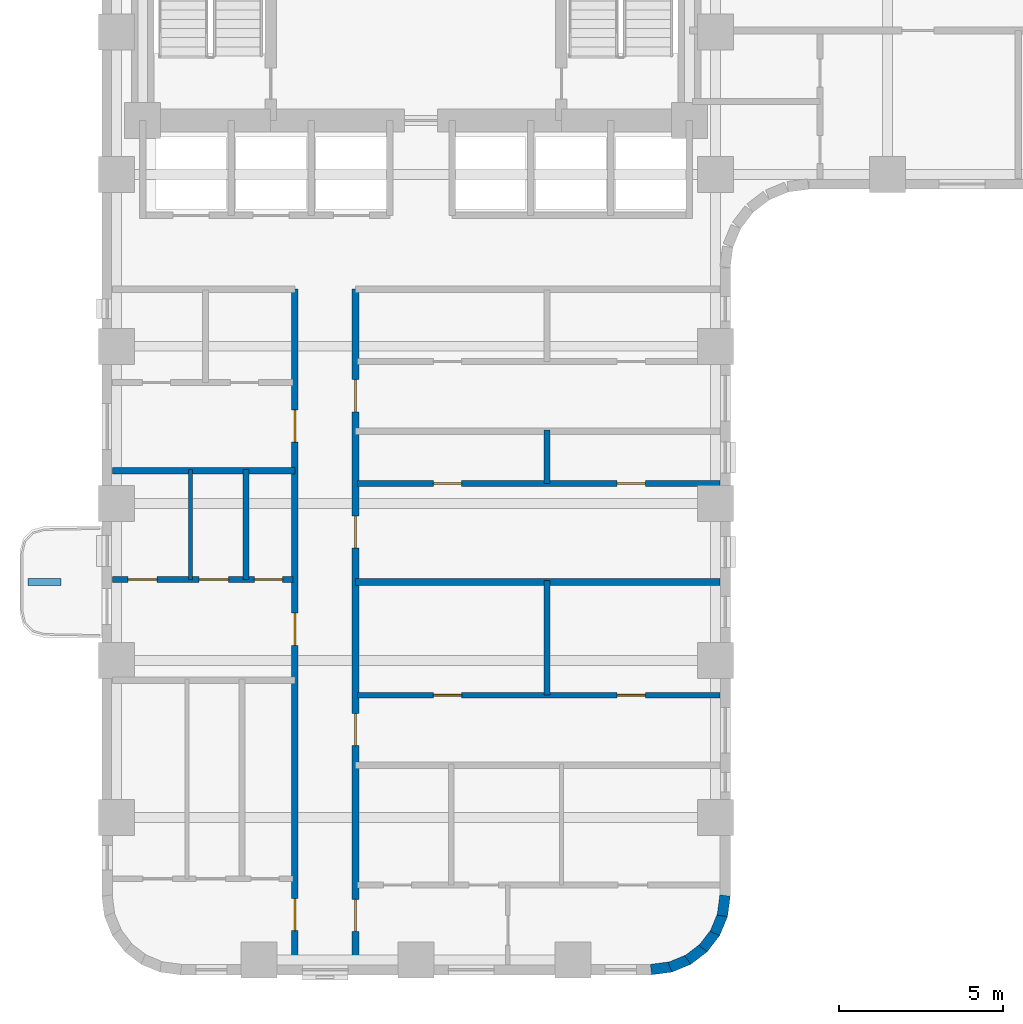
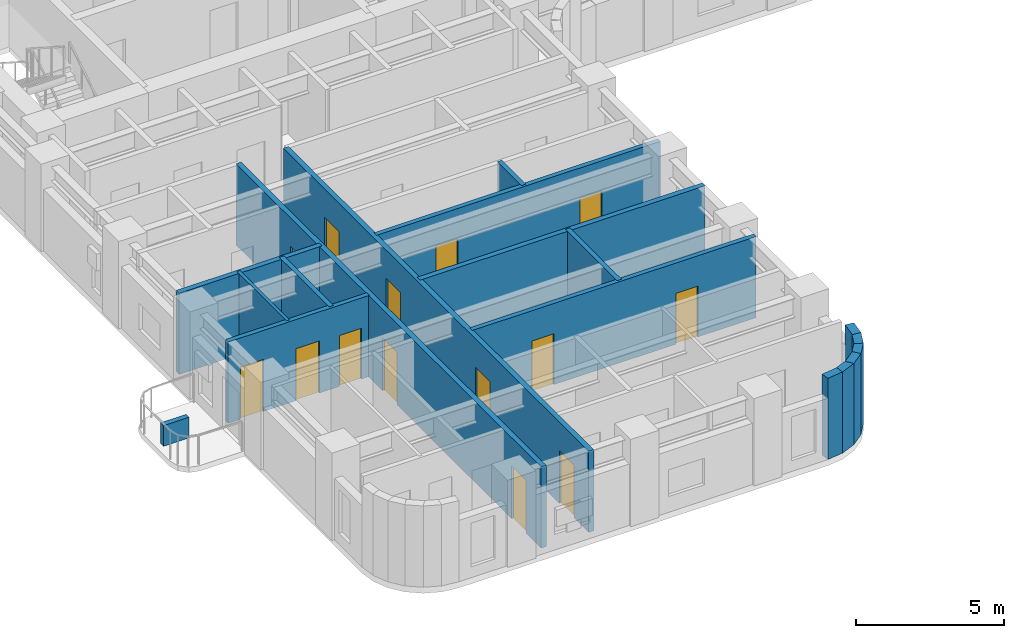
# One storey, part 3 of 12: 18 walls, 14 doors, 14 openings.
"""IFC4 building model written with IfcOpenShell, lengths in metres."""

from ifc_helpers import new_model, si_unit, direction, frame, frame_2d, origin, place, context, subcontext, project, spatial, rectangle, extrude, material, layer, layer_set, type_object, element, fill, save


model = new_model("IFC4")

# Units and contexts
model_context = context("Model", 3, precision=1e-05, world=origin(), true_north=direction((0.0, 1.0)))
body_context = subcontext(model_context, "Body", "Model", "MODEL_VIEW")
ifc_project = project(units=[si_unit("LENGTHUNIT", "METRE"), si_unit("AREAUNIT", "SQUARE_METRE"), si_unit("VOLUMEUNIT", "CUBIC_METRE"), si_unit("PLANEANGLEUNIT", "RADIAN"), si_unit("MASSUNIT", "GRAM", prefix="KILO")], contexts=[model_context])

# Site, building, storey
site_placement = place(None, origin())
site = spatial("IfcSite", under=ifc_project, at=site_placement, CompositionType="ELEMENT")
building_placement = place(site_placement, origin())
building = spatial("IfcBuilding", under=site, at=building_placement, Name="Orvandelia Arch Residences", CompositionType="ELEMENT")
storey_placement = place(building_placement, frame((0.0, 0.0, 35.800048828125)))
storey = spatial("IfcBuildingStorey", under=building, at=storey_placement, Name="L08", CompositionType="ELEMENT", Elevation=35.800048828125)

# Wall, openings, doors
ifc_material_1 = material(Name="Fire-Rated Corridor Partition")
ifc_layer_1 = layer(ifc_material_1, 0.199951171875, Name="Fire-Rated Corridor Partition")
ifc_layer_set_1 = layer_set([ifc_layer_1], Name="Fire-Rated Corridor Partition")
wall_type_1 = type_object("IfcWallType", Name="WL-CORR-200", PredefinedType="PARTITIONING", material=ifc_layer_set_1)
wall_1_placement = place(storey_placement, frame((10.699951171875, 5.1201171875, 0.0), z_axis=(0.0, 0.0, 1.0), x_axis=(0.0, 1.0, 0.0)))
wall_1 = element("IfcWall", 1, at=wall_1_placement, inside=storey, type_object=wall_type_1, Name="Interior Partition Wall WL-L08-WC-W", PredefinedType="PARTITIONING", context=body_context, shape_type="SweptSolid", body=[
    extrude(rectangle(XDim=20.6298828125, YDim=0.199951171875, at=frame_2d((10.31494140625, 0.0))), origin(), (0.0, 0.0, 1.0), 3.349853515625),
])
opening_1_placement = place(wall_1_placement, frame((1.028076171875, 0.0, 0.0)))
opening_1 = element("IfcOpeningElement", 2, at=opening_1_placement, cuts=wall_1, Name="Opening D1", PredefinedType="OPENING", context=body_context, shape_type="SweptSolid", body=[
    extrude(rectangle(XDim=0.97998046875, YDim=2.179931640625, at=frame_2d((0.489990234375, 1.08984375))), frame((0.0, 0.10986328125, 0.0), z_axis=(0.0, -1.0, 0.0), x_axis=(1.0, 0.0, 0.0)), (0.0, 0.0, 1.0), 0.219970703125),
])
opening_2_placement = place(wall_1_placement, frame((9.7470703125, 0.0, 0.0)))
opening_2 = element("IfcOpeningElement", 3, at=opening_2_placement, cuts=wall_1, Name="Opening D1", PredefinedType="OPENING", context=body_context, shape_type="SweptSolid", body=[
    extrude(rectangle(XDim=0.97998046875, YDim=2.179931640625, at=frame_2d((0.489990234375, 1.08984375))), frame((0.0, 0.10986328125, 0.0), z_axis=(0.0, -1.0, 0.0), x_axis=(1.0, 0.0, 0.0)), (0.0, 0.0, 1.0), 0.219970703125),
])
opening_3_placement = place(wall_1_placement, frame((15.9560546875, 0.0, 0.0)))
opening_3 = element("IfcOpeningElement", 4, at=opening_3_placement, cuts=wall_1, Name="Opening D1", PredefinedType="OPENING", context=body_context, shape_type="SweptSolid", body=[
    extrude(rectangle(XDim=0.97998046875, YDim=2.179931640625, at=frame_2d((0.489990234375, 1.08984375))), frame((0.0, 0.10986328125, 0.0), z_axis=(0.0, -1.0, 0.0), x_axis=(1.0, 0.0, 0.0)), (0.0, 0.0, 1.0), 0.219970703125),
])
ifc_material_2 = material(Name="Solid-Core Timber Acoustic Fire Door", Category="wood")
door_type_1 = type_object("IfcDoorType", Name="DR-ENT-980", OperationType="NOTDEFINED", PredefinedType="DOOR", material=ifc_material_2)
door_1_placement = place(opening_1_placement, origin())
door_1 = element("IfcDoor", 5, at=door_1_placement, inside=storey, type_object=door_type_1, Name="Unit L08-01 Entrance Door", OperationType="SINGLE_SWING_LEFT", OverallHeight=2.179931640625, OverallWidth=0.97998046875, PredefinedType="DOOR", context=body_context, shape_type="SweptSolid", body=[
    extrude(rectangle(XDim=0.97998046875, YDim=2.179931640625, at=frame_2d((0.489990234375, 1.08984375))), frame((0.0, 0.02490234375, 0.0), z_axis=(0.0, -1.0, 0.0), x_axis=(1.0, 0.0, 0.0)), (0.0, 0.0, 1.0), 0.050048828125),
])
fill(opening_1, door_1)
door_2_placement = place(opening_2_placement, origin())
door_2 = element("IfcDoor", 6, at=door_2_placement, inside=storey, type_object=door_type_1, Name="Unit L08-02 Entrance Door", OperationType="SINGLE_SWING_RIGHT", OverallHeight=2.179931640625, OverallWidth=0.97998046875, PredefinedType="DOOR", context=body_context, shape_type="SweptSolid", body=[
    extrude(rectangle(XDim=0.97998046875, YDim=2.179931640625, at=frame_2d((0.489990234375, 1.08984375))), frame((0.0, 0.02490234375, 0.0), z_axis=(0.0, -1.0, 0.0), x_axis=(1.0, 0.0, 0.0)), (0.0, 0.0, 1.0), 0.050048828125),
])
fill(opening_2, door_2)
door_3_placement = place(opening_3_placement, origin())
door_3 = element("IfcDoor", 7, at=door_3_placement, inside=storey, type_object=door_type_1, Name="Unit L08-03 Entrance Door", OperationType="SINGLE_SWING_LEFT", OverallHeight=2.179931640625, OverallWidth=0.97998046875, PredefinedType="DOOR", context=body_context, shape_type="SweptSolid", body=[
    extrude(rectangle(XDim=0.97998046875, YDim=2.179931640625, at=frame_2d((0.489990234375, 1.08984375))), frame((0.0, 0.02490234375, 0.0), z_axis=(0.0, -1.0, 0.0), x_axis=(1.0, 0.0, 0.0)), (0.0, 0.0, 1.0), 0.050048828125),
])
fill(opening_3, door_3)

wall_2_placement = place(storey_placement, frame((12.550048828125, 5.1201171875, 0.0), z_axis=(0.0, 0.0, 1.0), x_axis=(0.0, 1.0, 0.0)))
wall_2 = element("IfcWall", 8, at=wall_2_placement, inside=storey, type_object=wall_type_1, Name="Interior Partition Wall WL-L08-WC-E", PredefinedType="PARTITIONING", context=body_context, shape_type="SweptSolid", body=[
    extrude(rectangle(XDim=20.6298828125, YDim=0.199951171875, at=frame_2d((10.31494140625, 0.0))), origin(), (0.0, 0.0, 1.0), 3.349853515625),
])
opening_4_placement = place(wall_2_placement, frame((1.00390625, 0.0, 0.0)))
opening_4 = element("IfcOpeningElement", 9, at=opening_4_placement, cuts=wall_2, Name="Opening D1", PredefinedType="OPENING", context=body_context, shape_type="SweptSolid", body=[
    extrude(rectangle(XDim=0.97998046875, YDim=2.179931640625, at=frame_2d((0.489990234375, 1.08984375))), frame((0.0, 0.10986328125, 0.0), z_axis=(0.0, -1.0, 0.0), x_axis=(1.0, 0.0, 0.0)), (0.0, 0.0, 1.0), 0.219970703125),
])
opening_5_placement = place(wall_2_placement, frame((6.679931640625, 0.0, 0.0)))
opening_5 = element("IfcOpeningElement", 10, at=opening_5_placement, cuts=wall_2, Name="Opening D1", PredefinedType="OPENING", context=body_context, shape_type="SweptSolid", body=[
    extrude(rectangle(XDim=0.97998046875, YDim=2.179931640625, at=frame_2d((0.489990234375, 1.08984375))), frame((0.0, 0.10986328125, 0.0), z_axis=(0.0, -1.0, 0.0), x_axis=(1.0, 0.0, 0.0)), (0.0, 0.0, 1.0), 0.219970703125),
])
opening_6_placement = place(wall_2_placement, frame((12.715087890625, 0.0, 0.0)))
opening_6 = element("IfcOpeningElement", 11, at=opening_6_placement, cuts=wall_2, Name="Opening D1", PredefinedType="OPENING", context=body_context, shape_type="SweptSolid", body=[
    extrude(rectangle(XDim=0.97998046875, YDim=2.179931640625, at=frame_2d((0.489990234375, 1.08984375))), frame((0.0, 0.10986328125, 0.0), z_axis=(0.0, -1.0, 0.0), x_axis=(1.0, 0.0, 0.0)), (0.0, 0.0, 1.0), 0.219970703125),
])
opening_7_placement = place(wall_2_placement, frame((16.8798828125, 0.0, 0.0)))
opening_7 = element("IfcOpeningElement", 12, at=opening_7_placement, cuts=wall_2, Name="Opening D1", PredefinedType="OPENING", context=body_context, shape_type="SweptSolid", body=[
    extrude(rectangle(XDim=0.97998046875, YDim=2.179931640625, at=frame_2d((0.489990234375, 1.08984375))), frame((0.0, 0.10986328125, 0.0), z_axis=(0.0, -1.0, 0.0), x_axis=(1.0, 0.0, 0.0)), (0.0, 0.0, 1.0), 0.219970703125),
])
door_4_placement = place(opening_4_placement, origin())
door_4 = element("IfcDoor", 13, at=door_4_placement, inside=storey, type_object=door_type_1, Name="Unit L08-04 Entrance Door", OperationType="SINGLE_SWING_RIGHT", OverallHeight=2.179931640625, OverallWidth=0.97998046875, PredefinedType="DOOR", context=body_context, shape_type="SweptSolid", body=[
    extrude(rectangle(XDim=0.97998046875, YDim=2.179931640625, at=frame_2d((0.489990234375, 1.08984375))), frame((0.0, 0.02490234375, 0.0), z_axis=(0.0, -1.0, 0.0), x_axis=(1.0, 0.0, 0.0)), (0.0, 0.0, 1.0), 0.050048828125),
])
fill(opening_4, door_4)
door_5_placement = place(opening_5_placement, origin())
door_5 = element("IfcDoor", 14, at=door_5_placement, inside=storey, type_object=door_type_1, Name="Unit L08-05 Entrance Door", OperationType="SINGLE_SWING_LEFT", OverallHeight=2.179931640625, OverallWidth=0.97998046875, PredefinedType="DOOR", context=body_context, shape_type="SweptSolid", body=[
    extrude(rectangle(XDim=0.97998046875, YDim=2.179931640625, at=frame_2d((0.489990234375, 1.08984375))), frame((0.0, 0.02490234375, 0.0), z_axis=(0.0, -1.0, 0.0), x_axis=(1.0, 0.0, 0.0)), (0.0, 0.0, 1.0), 0.050048828125),
])
fill(opening_5, door_5)
door_6_placement = place(opening_6_placement, origin())
door_6 = element("IfcDoor", 15, at=door_6_placement, inside=storey, type_object=door_type_1, Name="Unit L08-06 Entrance Door", OperationType="SINGLE_SWING_RIGHT", OverallHeight=2.179931640625, OverallWidth=0.97998046875, PredefinedType="DOOR", context=body_context, shape_type="SweptSolid", body=[
    extrude(rectangle(XDim=0.97998046875, YDim=2.179931640625, at=frame_2d((0.489990234375, 1.08984375))), frame((0.0, 0.02490234375, 0.0), z_axis=(0.0, -1.0, 0.0), x_axis=(1.0, 0.0, 0.0)), (0.0, 0.0, 1.0), 0.050048828125),
])
fill(opening_6, door_6)
door_7_placement = place(opening_7_placement, origin())
door_7 = element("IfcDoor", 16, at=door_7_placement, inside=storey, type_object=door_type_1, Name="Unit L08-07 Entrance Door", OperationType="SINGLE_SWING_LEFT", OverallHeight=2.179931640625, OverallWidth=0.97998046875, PredefinedType="DOOR", context=body_context, shape_type="SweptSolid", body=[
    extrude(rectangle(XDim=0.97998046875, YDim=2.179931640625, at=frame_2d((0.489990234375, 1.08984375))), frame((0.0, 0.02490234375, 0.0), z_axis=(0.0, -1.0, 0.0), x_axis=(1.0, 0.0, 0.0)), (0.0, 0.0, 1.0), 0.050048828125),
])
fill(opening_7, door_7)

# Walls
ifc_material_3 = material(Name="Concrete C40/50", Category="concrete")
ifc_layer_2 = layer(ifc_material_3, 0.199951171875, Name="Concrete C40/50", Category="concrete")
ifc_layer_set_2 = layer_set([ifc_layer_2], Name="Concrete C40/50")
wall_type_2 = type_object("IfcWallType", Name="WL-DEM-200", PredefinedType="SOLIDWALL", material=ifc_layer_set_2)
wall_3_placement = place(storey_placement, frame((5.1201171875, 20.199951171875, 0.0), z_axis=(0.0, 0.0, 1.0), x_axis=(1.0, 0.0, 0.0)))
element("IfcWall", 17, at=wall_3_placement, inside=storey, type_object=wall_type_2, Name="Interior Partition Wall WL-L08-DEM-WL-202", PredefinedType="SOLIDWALL", context=body_context, shape_type="SweptSolid", body=[
    extrude(rectangle(XDim=5.579833984375, YDim=0.199951171875, at=frame_2d((2.7900390625, 0.0))), origin(), (0.0, 0.0, 1.0), 3.349853515625),
])
wall_4_placement = place(storey_placement, frame((12.550048828125, 16.800048828125, 0.0), z_axis=(0.0, 0.0, 1.0), x_axis=(1.0, 0.0, 0.0)))
element("IfcWall", 18, at=wall_4_placement, inside=storey, type_object=wall_type_2, Name="Interior Partition Wall WL-L08-DEM-WR-168", PredefinedType="SOLIDWALL", context=body_context, shape_type="SweptSolid", body=[
    extrude(rectangle(XDim=11.1298828125, YDim=0.199951171875, at=frame_2d((5.56494140625, 0.0))), origin(), (0.0, 0.0, 1.0), 3.349853515625),
])
ifc_material_4 = material(Name="Precast concrete C40/50", Category="concrete")
ifc_layer_3 = layer(ifc_material_4, 0.320068359375, Name="Precast concrete C40/50", Category="concrete")
ifc_layer_set_3 = layer_set([ifc_layer_3], Name="Precast concrete C40/50")
wall_type_3 = type_object("IfcWallType", Name="WL-EXT-STONE-320", PredefinedType="STANDARD", material=ifc_layer_set_3)
wall_5_placement = place(storey_placement, frame((23.84130859375, 7.220947265625, 0.0), z_axis=(0.0, 0.0, 1.0), x_axis=(-0.130504898859, -0.991447664465, 0.0)))
element("IfcWall", 19, at=wall_5_placement, inside=storey, type_object=wall_type_3, Name="Coral-Limestone Precast Facade Wall L08-029", PredefinedType="STANDARD", context=body_context, shape_type="SweptSolid", body=[
    extrude(rectangle(XDim=0.626708984375, YDim=0.320068359375, at=frame_2d((0.3134765625, 0.0))), origin(), (0.0, 0.0, 1.0), 3.349853515625),
])
wall_6_placement = place(storey_placement, frame((23.7705078125, 6.639892578125, 0.0), z_axis=(0.0, 0.0, 1.0), x_axis=(-0.382787856107, -0.923836271867, 0.0)))
element("IfcWall", 20, at=wall_6_placement, inside=storey, type_object=wall_type_3, Name="Coral-Limestone Precast Facade Wall L08-030", PredefinedType="STANDARD", context=body_context, shape_type="SweptSolid", body=[
    extrude(rectangle(XDim=0.626220703125, YDim=0.320068359375, at=frame_2d((0.31298828125, 0.0))), origin(), (0.0, 0.0, 1.0), 3.349853515625),
])
wall_7_placement = place(storey_placement, frame((23.551513671875, 6.097412109375, 0.0), z_axis=(0.0, 0.0, 1.0), x_axis=(-0.608693302629, -0.793405610854, 0.0)))
element("IfcWall", 21, at=wall_7_placement, inside=storey, type_object=wall_type_3, Name="Coral-Limestone Precast Facade Wall L08-031", PredefinedType="STANDARD", context=body_context, shape_type="SweptSolid", body=[
    extrude(rectangle(XDim=0.62646484375, YDim=0.320068359375, at=frame_2d((0.313232421875, 0.0))), origin(), (0.0, 0.0, 1.0), 3.349853515625),
])
wall_8_placement = place(storey_placement, frame((23.19970703125, 5.6298828125, 0.0), z_axis=(0.0, 0.0, 1.0), x_axis=(-0.7932174212, -0.608938521285, 0.0)))
element("IfcWall", 22, at=wall_8_placement, inside=storey, type_object=wall_type_3, Name="Coral-Limestone Precast Facade Wall L08-032", PredefinedType="STANDARD", context=body_context, shape_type="SweptSolid", body=[
    extrude(rectangle(XDim=0.626708984375, YDim=0.320068359375, at=frame_2d((0.3134765625, 0.0))), origin(), (0.0, 0.0, 1.0), 3.349853515625),
])
for number, where, z_axis, x_axis, name in (
    (23, (22.73876953125, 5.269287109375, 0.0), (0.0, 0.0, 1.0), (-0.92389335771, -0.382650053678, 0.0), "Coral-Limestone Precast Facade Wall L08-033"),
    (24, (22.2001953125, 5.040283203125, 0.0), (0.0, 0.0, 1.0), (-0.9914410257, -0.130555323746, 0.0), "Coral-Limestone Precast Facade Wall L08-034"),
):
    element("IfcWall", number, at=place(storey_placement, frame(where, z_axis=z_axis, x_axis=x_axis)), inside=storey, type_object=wall_type_3, Name=name, PredefinedType="STANDARD", context=body_context, shape_type="SweptSolid", body=[
        extrude(rectangle(XDim=0.62646484375, YDim=0.320068359375, at=frame_2d((0.313232421875, 0.0))), origin(), (0.0, 0.0, 1.0), 3.349853515625),
    ])
ifc_material_5 = material(Name="Lightweight Gypsum Stud Partition")
ifc_layer_4 = layer(ifc_material_5, 0.1201171875, Name="Lightweight Gypsum Stud Partition")
ifc_layer_set_4 = layer_set([ifc_layer_4], Name="Lightweight Gypsum Stud Partition")
wall_type_4 = type_object("IfcWallType", Name="WL-PART-120", PredefinedType="PARTITIONING", material=ifc_layer_set_4)
wall_9_placement = place(storey_placement, frame((7.514892578125, 16.8740234375, 0.0), z_axis=(0.0, 0.0, 1.0), x_axis=(0.0, 1.0, 0.0)))
element("IfcWall", 25, at=wall_9_placement, inside=storey, type_object=wall_type_4, Name="Interior Partition Wall WL-L08-U02-V1", PredefinedType="PARTITIONING", context=body_context, shape_type="SweptSolid", body=[
    extrude(rectangle(XDim=3.365966796875, YDim=0.1201171875, at=frame_2d((1.68310546875, 0.0))), origin(), (0.0, 0.0, 1.0), 3.349853515625),
])
ifc_layer_5 = layer(ifc_material_4, 0.199951171875, Name="Precast concrete C40/50", Category="concrete")
ifc_layer_set_5 = layer_set([ifc_layer_5], Name="Precast concrete C40/50")
wall_type_5 = type_object("IfcWallType", Name="WL-PLANTER-200", PredefinedType="MOVABLE", material=ifc_layer_set_5)
wall_10_placement = place(storey_placement, frame((2.550048828125, 16.800048828125, 0.0), z_axis=(0.0, 0.0, 1.0), x_axis=(1.0, 0.0, 0.0)))
element("IfcWall", 26, at=wall_10_placement, inside=storey, type_object=wall_type_5, Name="Balcony Precast Tree Planter BAL-L08-W1", PredefinedType="MOVABLE", context=body_context, shape_type="SweptSolid", body=[
    extrude(rectangle(XDim=1.0, YDim=0.199951171875, at=frame_2d((0.5, 0.0))), origin(), (0.0, 0.0, 1.0), 0.849853515625),
])

# Wall, openings, doors
ifc_material_6 = material(Name="Moisture-Resistant Plumbing Wall")
ifc_layer_6 = layer(ifc_material_6, 0.179931640625, Name="Moisture-Resistant Plumbing Wall")
ifc_layer_set_6 = layer_set([ifc_layer_6], Name="Moisture-Resistant Plumbing Wall")
wall_type_6 = type_object("IfcWallType", Name="WL-WET-180", PredefinedType="PLUMBINGWALL", material=ifc_layer_set_6)
wall_11_placement = place(storey_placement, frame((5.1201171875, 16.8740234375, 0.0), z_axis=(0.0, 0.0, 1.0), x_axis=(1.0, 0.0, 0.0)))
wall_11 = element("IfcWall", 27, at=wall_11_placement, inside=storey, type_object=wall_type_6, Name="Interior Partition Wall WL-L08-U02-HZ", PredefinedType="PLUMBINGWALL", context=body_context, shape_type="SweptSolid", body=[
    extrude(rectangle(XDim=5.519775390625, YDim=0.179931640625, at=frame_2d((2.759765625, 0.0))), origin(), (0.0, 0.0, 1.0), 3.349853515625),
])
opening_8_placement = place(wall_11_placement, frame((0.47216796875, 0.0, 0.0)))
opening_8 = element("IfcOpeningElement", 28, at=opening_8_placement, cuts=wall_11, Name="Opening D3", PredefinedType="OPENING", context=body_context, shape_type="SweptSolid", body=[
    extrude(rectangle(XDim=0.89990234375, YDim=2.14990234375, at=frame_2d((0.449951171875, 1.074951171875))), frame((0.0, 0.10009765625, 0.0), z_axis=(0.0, -1.0, 0.0), x_axis=(1.0, 0.0, 0.0)), (0.0, 0.0, 1.0), 0.199951171875),
])
opening_9_placement = place(wall_11_placement, frame((2.655029296875, 0.0, 0.0)))
opening_9 = element("IfcOpeningElement", 29, at=opening_9_placement, cuts=wall_11, Name="Opening D3", PredefinedType="OPENING", context=body_context, shape_type="SweptSolid", body=[
    extrude(rectangle(XDim=0.89990234375, YDim=2.14990234375, at=frame_2d((0.449951171875, 1.074951171875))), frame((0.0, 0.10009765625, 0.0), z_axis=(0.0, -1.0, 0.0), x_axis=(1.0, 0.0, 0.0)), (0.0, 0.0, 1.0), 0.199951171875),
])
opening_10_placement = place(wall_11_placement, frame((4.342041015625, 0.0, 0.0)))
opening_10 = element("IfcOpeningElement", 30, at=opening_10_placement, cuts=wall_11, Name="Opening D4", PredefinedType="OPENING", context=body_context, shape_type="SweptSolid", body=[
    extrude(rectangle(XDim=0.860107421875, YDim=2.10009765625, at=frame_2d((0.43017578125, 1.050048828125))), frame((0.0, 0.10009765625, 0.0), z_axis=(0.0, -1.0, 0.0), x_axis=(1.0, 0.0, 0.0)), (0.0, 0.0, 1.0), 0.199951171875),
])
ifc_material_7 = material(Name="Engineered Timber Flush Door", Category="wood")
door_type_2 = type_object("IfcDoorType", Name="DR-INT-900", OperationType="NOTDEFINED", PredefinedType="DOOR", material=ifc_material_7)
door_8_placement = place(opening_8_placement, origin())
door_8 = element("IfcDoor", 31, at=door_8_placement, inside=storey, type_object=door_type_2, Name="DR-L08-U02-BD1", OperationType="SINGLE_SWING_RIGHT", OverallHeight=2.14990234375, OverallWidth=0.89990234375, PredefinedType="DOOR", context=body_context, shape_type="SweptSolid", body=[
    extrude(rectangle(XDim=0.89990234375, YDim=2.14990234375, at=frame_2d((0.449951171875, 1.074951171875))), frame((0.0, 0.02490234375, 0.0), z_axis=(0.0, -1.0, 0.0), x_axis=(1.0, 0.0, 0.0)), (0.0, 0.0, 1.0), 0.050048828125),
])
fill(opening_8, door_8)
door_9_placement = place(opening_9_placement, origin())
door_9 = element("IfcDoor", 32, at=door_9_placement, inside=storey, type_object=door_type_2, Name="DR-L08-U02-KIT", OperationType="SINGLE_SWING_LEFT", OverallHeight=2.14990234375, OverallWidth=0.89990234375, PredefinedType="DOOR", context=body_context, shape_type="SweptSolid", body=[
    extrude(rectangle(XDim=0.89990234375, YDim=2.14990234375, at=frame_2d((0.449951171875, 1.074951171875))), frame((0.0, 0.02490234375, 0.0), z_axis=(0.0, -1.0, 0.0), x_axis=(1.0, 0.0, 0.0)), (0.0, 0.0, 1.0), 0.050048828125),
])
fill(opening_9, door_9)
ifc_material_8 = material(Name="Moisture-Sealed Timber Bathroom Door", Category="wood")
door_type_3 = type_object("IfcDoorType", Name="DR-WET-900", OperationType="NOTDEFINED", PredefinedType="DOOR", material=ifc_material_8)
door_10_placement = place(opening_10_placement, origin())
door_10 = element("IfcDoor", 33, at=door_10_placement, inside=storey, type_object=door_type_3, Name="DR-L08-U02-BTH", OperationType="SINGLE_SWING_RIGHT", OverallHeight=2.10009765625, OverallWidth=0.860107421875, PredefinedType="DOOR", context=body_context, shape_type="SweptSolid", body=[
    extrude(rectangle(XDim=0.860107421875, YDim=2.10009765625, at=frame_2d((0.43017578125, 1.050048828125))), frame((0.0, 0.02490234375, 0.0), z_axis=(0.0, -1.0, 0.0), x_axis=(1.0, 0.0, 0.0)), (0.0, 0.0, 1.0), 0.050048828125),
])
fill(opening_10, door_10)

# Wall
wall_12_placement = place(storey_placement, frame((9.201904296875, 16.8740234375, 0.0), z_axis=(0.0, 0.0, 1.0), x_axis=(0.0, 1.0, 0.0)))
element("IfcWall", 34, at=wall_12_placement, inside=storey, type_object=wall_type_6, Name="Interior Partition Wall WL-L08-U02-V2", PredefinedType="PLUMBINGWALL", context=body_context, shape_type="SweptSolid", body=[
    extrude(rectangle(XDim=3.365966796875, YDim=0.179931640625, at=frame_2d((1.68310546875, 0.0))), origin(), (0.0, 0.0, 1.0), 3.349853515625),
])

# Wall, openings, doors
wall_13_placement = place(storey_placement, frame((12.610107421875, 13.340087890625, 0.0), z_axis=(0.0, 0.0, 1.0), x_axis=(1.0, 0.0, 0.0)))
wall_13 = element("IfcWall", 35, at=wall_13_placement, inside=storey, type_object=wall_type_6, Name="Interior Partition Wall WL-L08-U05-HZ", PredefinedType="PLUMBINGWALL", context=body_context, shape_type="SweptSolid", body=[
    extrude(rectangle(XDim=11.06982421875, YDim=0.179931640625, at=frame_2d((5.534912109375, 0.0))), origin(), (0.0, 0.0, 1.0), 3.349853515625),
])
opening_11_placement = place(wall_13_placement, frame((2.319091796875, 0.0, 0.0)))
opening_11 = element("IfcOpeningElement", 36, at=opening_11_placement, cuts=wall_13, Name="Opening D4", PredefinedType="OPENING", context=body_context, shape_type="SweptSolid", body=[
    extrude(rectangle(XDim=0.860107421875, YDim=2.10009765625, at=frame_2d((0.43017578125, 1.050048828125))), frame((0.0, 0.10009765625, 0.0), z_axis=(0.0, -1.0, 0.0), x_axis=(1.0, 0.0, 0.0)), (0.0, 0.0, 1.0), 0.199951171875),
])
opening_12_placement = place(wall_13_placement, frame((7.93408203125, 0.0, 0.0)))
opening_12 = element("IfcOpeningElement", 37, at=opening_12_placement, cuts=wall_13, Name="Opening D4", PredefinedType="OPENING", context=body_context, shape_type="SweptSolid", body=[
    extrude(rectangle(XDim=0.860107421875, YDim=2.10009765625, at=frame_2d((0.43017578125, 1.050048828125))), frame((0.0, 0.10009765625, 0.0), z_axis=(0.0, -1.0, 0.0), x_axis=(1.0, 0.0, 0.0)), (0.0, 0.0, 1.0), 0.199951171875),
])
door_11_placement = place(opening_11_placement, origin())
door_11 = element("IfcDoor", 38, at=door_11_placement, inside=storey, type_object=door_type_3, Name="DR-L08-U05-KIT", OperationType="SINGLE_SWING_LEFT", OverallHeight=2.10009765625, OverallWidth=0.860107421875, PredefinedType="DOOR", context=body_context, shape_type="SweptSolid", body=[
    extrude(rectangle(XDim=0.860107421875, YDim=2.10009765625, at=frame_2d((0.43017578125, 1.050048828125))), frame((0.0, 0.02490234375, 0.0), z_axis=(0.0, -1.0, 0.0), x_axis=(1.0, 0.0, 0.0)), (0.0, 0.0, 1.0), 0.050048828125),
])
fill(opening_11, door_11)
door_12_placement = place(opening_12_placement, origin())
door_12 = element("IfcDoor", 39, at=door_12_placement, inside=storey, type_object=door_type_3, Name="DR-L08-U05-BTH", OperationType="SINGLE_SWING_RIGHT", OverallHeight=2.10009765625, OverallWidth=0.860107421875, PredefinedType="DOOR", context=body_context, shape_type="SweptSolid", body=[
    extrude(rectangle(XDim=0.860107421875, YDim=2.10009765625, at=frame_2d((0.43017578125, 1.050048828125))), frame((0.0, 0.02490234375, 0.0), z_axis=(0.0, -1.0, 0.0), x_axis=(1.0, 0.0, 0.0)), (0.0, 0.0, 1.0), 0.050048828125),
])
fill(opening_12, door_12)

# Wall
wall_14_placement = place(storey_placement, frame((18.39794921875, 13.340087890625, 0.0), z_axis=(0.0, 0.0, 1.0), x_axis=(0.0, 1.0, 0.0)))
element("IfcWall", 40, at=wall_14_placement, inside=storey, type_object=wall_type_6, Name="Interior Partition Wall WL-L08-U05-V1", PredefinedType="PLUMBINGWALL", context=body_context, shape_type="SweptSolid", body=[
    extrude(rectangle(XDim=3.5, YDim=0.179931640625, at=frame_2d((1.75, 0.0))), origin(), (0.0, 0.0, 1.0), 3.349853515625),
])

# Wall, openings, doors
wall_15_placement = place(storey_placement, frame((12.610107421875, 19.81005859375, 0.0), z_axis=(0.0, 0.0, 1.0), x_axis=(1.0, 0.0, 0.0)))
wall_15 = element("IfcWall", 41, at=wall_15_placement, inside=storey, type_object=wall_type_6, Name="Interior Partition Wall WL-L08-U06-HZ", PredefinedType="PLUMBINGWALL", context=body_context, shape_type="SweptSolid", body=[
    extrude(rectangle(XDim=11.06982421875, YDim=0.179931640625, at=frame_2d((5.534912109375, 0.0))), origin(), (0.0, 0.0, 1.0), 3.349853515625),
])
opening_13_placement = place(wall_15_placement, frame((2.319091796875, 0.0, 0.0)))
opening_13 = element("IfcOpeningElement", 42, at=opening_13_placement, cuts=wall_15, Name="Opening D4", PredefinedType="OPENING", context=body_context, shape_type="SweptSolid", body=[
    extrude(rectangle(XDim=0.860107421875, YDim=2.10009765625, at=frame_2d((0.43017578125, 1.050048828125))), frame((0.0, 0.10009765625, 0.0), z_axis=(0.0, -1.0, 0.0), x_axis=(1.0, 0.0, 0.0)), (0.0, 0.0, 1.0), 0.199951171875),
])
opening_14_placement = place(wall_15_placement, frame((7.93408203125, 0.0, 0.0)))
opening_14 = element("IfcOpeningElement", 43, at=opening_14_placement, cuts=wall_15, Name="Opening D4", PredefinedType="OPENING", context=body_context, shape_type="SweptSolid", body=[
    extrude(rectangle(XDim=0.860107421875, YDim=2.10009765625, at=frame_2d((0.43017578125, 1.050048828125))), frame((0.0, 0.10009765625, 0.0), z_axis=(0.0, -1.0, 0.0), x_axis=(1.0, 0.0, 0.0)), (0.0, 0.0, 1.0), 0.199951171875),
])
door_13_placement = place(opening_13_placement, origin())
door_13 = element("IfcDoor", 44, at=door_13_placement, inside=storey, type_object=door_type_3, Name="DR-L08-U06-KIT", OperationType="SINGLE_SWING_RIGHT", OverallHeight=2.10009765625, OverallWidth=0.860107421875, PredefinedType="DOOR", context=body_context, shape_type="SweptSolid", body=[
    extrude(rectangle(XDim=0.860107421875, YDim=2.10009765625, at=frame_2d((0.43017578125, 1.050048828125))), frame((0.0, 0.02490234375, 0.0), z_axis=(0.0, -1.0, 0.0), x_axis=(1.0, 0.0, 0.0)), (0.0, 0.0, 1.0), 0.050048828125),
])
fill(opening_13, door_13)
door_14_placement = place(opening_14_placement, origin())
door_14 = element("IfcDoor", 45, at=door_14_placement, inside=storey, type_object=door_type_3, Name="DR-L08-U06-BTH", OperationType="SINGLE_SWING_LEFT", OverallHeight=2.10009765625, OverallWidth=0.860107421875, PredefinedType="DOOR", context=body_context, shape_type="SweptSolid", body=[
    extrude(rectangle(XDim=0.860107421875, YDim=2.10009765625, at=frame_2d((0.43017578125, 1.050048828125))), frame((0.0, 0.02490234375, 0.0), z_axis=(0.0, -1.0, 0.0), x_axis=(1.0, 0.0, 0.0)), (0.0, 0.0, 1.0), 0.050048828125),
])
fill(opening_14, door_14)

# Wall
wall_16_placement = place(storey_placement, frame((18.39794921875, 19.81005859375, 0.0), z_axis=(0.0, 0.0, 1.0), x_axis=(0.0, 1.0, 0.0)))
element("IfcWall", 46, at=wall_16_placement, inside=storey, type_object=wall_type_6, Name="Interior Partition Wall WL-L08-U06-V1", PredefinedType="PLUMBINGWALL", context=body_context, shape_type="SweptSolid", body=[
    extrude(rectangle(XDim=1.6298828125, YDim=0.179931640625, at=frame_2d((0.81494140625, 0.0))), origin(), (0.0, 0.0, 1.0), 3.349853515625),
])

save(model, "model.ifc")
